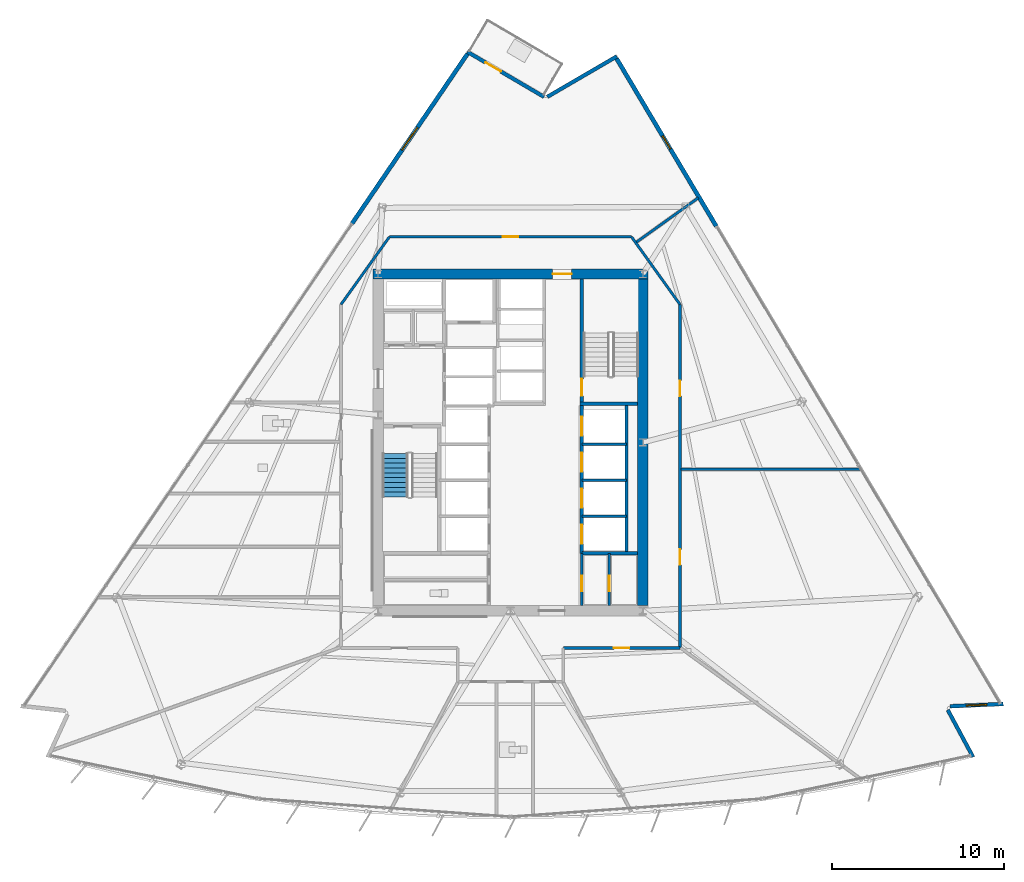
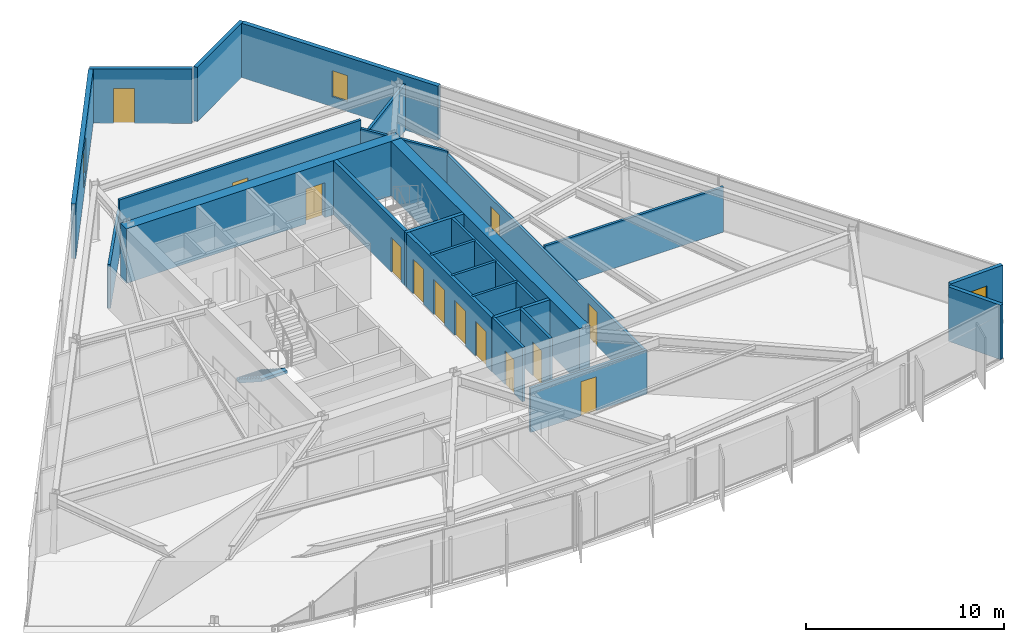
# One storey, part 9 of 15: 25 walls, 13 doors, 3 windows, 1 stair flight, 16 openings, 1 element without a shape of its own.
"""IFC4 building model written with IfcOpenShell, lengths in metres."""

import ifcopenshell
import ifcopenshell.guid

model = None  # the IFC model being written
_history = None  # IfcOwnerHistory: only IFC2X3 demands one
_inside = {}  # id of a spatial element -> (the spatial element, [elements in it])
_under = {}  # id of a project, library or spatial element -> (it, [spatial elements below it])
_declared = {}  # id of a project -> (the project, [libraries it declares])
_typed = {}  # id of a type object -> (the type object, [elements of that type])
_made_of = {}  # id of a material, layer set ... -> (it, [elements and type objects made of it])


def new_model(schema):
    """Start an empty IFC model of exactly this schema.

    Asked for "IFC4X3", IfcOpenShell would pick the latest addendum, in which some entities
    have other attributes; the version numbers below select the first issue.
    IFC2X3 requires an IfcOwnerHistory on every rooted entity: one is made here for all.
    """
    global model, _history
    if schema == "IFC4X3":
        model = ifcopenshell.file(schema_version=(4, 3, 0, 0))
    else:
        model = ifcopenshell.file(schema=schema)
    _inside.clear()
    _under.clear()
    _declared.clear()
    _typed.clear()
    _made_of.clear()
    _history = None
    if model.schema == "IFC2X3":
        org = make("IfcOrganization", Name="unknown")
        user = make(
            "IfcPersonAndOrganization",
            ThePerson=make("IfcPerson", FamilyName="unknown"),
            TheOrganization=org,
        )
        app = make(
            "IfcApplication",
            ApplicationDeveloper=org,
            Version="unknown",
            ApplicationFullName="unknown",
            ApplicationIdentifier="unknown",
        )
        _history = make(
            "IfcOwnerHistory",
            OwningUser=user,
            OwningApplication=app,
            ChangeAction="ADDED",
            CreationDate=0,
        )
    return model


def make(cls, **values):
    """One entity of the class cls with the attributes given. An attribute that is None is left unset."""
    return model.create_entity(
        cls, **{name: value for name, value in values.items() if value is not None}
    )


def rooted(cls, **values):
    """An entity with a GlobalId (a new one), such as an element, a storey or a relation."""
    return make(cls, GlobalId=ifcopenshell.guid.new(), OwnerHistory=_history, **values)


def si_unit(unit_type, name, prefix=None):
    """IfcSIUnit, for example si_unit("LENGTHUNIT", "METRE", prefix="MILLI")."""
    return make("IfcSIUnit", UnitType=unit_type, Prefix=prefix, Name=name)


def assignment(units):
    """IfcUnitAssignment: the units of a project."""
    return None if units is None else make("IfcUnitAssignment", Units=units)


def point(xyz):
    """IfcCartesianPoint."""
    return None if xyz is None else make("IfcCartesianPoint", Coordinates=xyz)


def direction(xyz):
    """IfcDirection."""
    return None if xyz is None else make("IfcDirection", DirectionRatios=xyz)


def frame(location, z_axis=None, x_axis=None):
    """IfcAxis2Placement3D, a coordinate frame: its origin and axes. An axis left out is left unset."""
    return make(
        "IfcAxis2Placement3D",
        Location=point(location),
        Axis=direction(z_axis),
        RefDirection=direction(x_axis),
    )


def frame_2d(location, x_axis=None):
    """IfcAxis2Placement2D, a coordinate frame in the plane: its origin and x axis."""
    return make(
        "IfcAxis2Placement2D", Location=point(location), RefDirection=direction(x_axis)
    )


def origin():
    """The frame at (0, 0, 0) with its axes left unset."""
    return frame((0.0, 0.0, 0.0))


def place(relative_to, where):
    """IfcLocalPlacement: puts the frame where relative to a parent placement (None: the world)."""
    return make(
        "IfcLocalPlacement", PlacementRelTo=relative_to, RelativePlacement=where
    )


def context(
    kind, dimensions, precision=None, world=None, true_north=None, identifier=None
):
    """IfcGeometricRepresentationContext, for example the 3D "Model" context."""
    return make(
        "IfcGeometricRepresentationContext",
        ContextIdentifier=identifier,
        ContextType=kind,
        CoordinateSpaceDimension=dimensions,
        Precision=precision,
        WorldCoordinateSystem=world,
        TrueNorth=true_north,
    )


def subcontext(parent, identifier, kind, view, scale=None):
    """IfcGeometricRepresentationSubContext, for example "Body" below "Model"."""
    return make(
        "IfcGeometricRepresentationSubContext",
        ContextIdentifier=identifier,
        ContextType=kind,
        ParentContext=parent,
        TargetScale=scale,
        TargetView=view,
    )


def project(units=None, contexts=None):
    """IfcProject with its units and contexts."""
    return rooted(
        "IfcProject",
        Name="project",
        RepresentationContexts=contexts,
        UnitsInContext=assignment(units),
    )


def spatial(cls, under=None, at=None, **own):
    """A site, building, storey or space (cls), placed at a placement, below another one or the project."""
    s = rooted(cls, ObjectPlacement=at, **own)
    if under is not None:
        _under.setdefault(under.id(), (under, []))[1].append(s)
    return s


def polyline(points):
    """IfcPolyline through the points."""
    return make("IfcPolyline", Points=[point(p) for p in points])


def profile(cls, at=None, kind="AREA", **sizes):
    """A parametric profile (cls). Its sizes go by their IFC names, for example OverallWidth=200.0."""
    return make(cls, ProfileType=kind, Position=at, **sizes)


def rectangle(**sizes):
    """IfcRectangleProfileDef."""
    return profile("IfcRectangleProfileDef", **sizes)


def outline(outer, holes=None, kind="AREA"):
    """IfcArbitraryClosedProfileDef: a profile drawn as a closed curve; with holes, ...WithVoids."""
    if holes is None:
        return make("IfcArbitraryClosedProfileDef", ProfileType=kind, OuterCurve=outer)
    return make(
        "IfcArbitraryProfileDefWithVoids",
        ProfileType=kind,
        OuterCurve=outer,
        InnerCurves=holes,
    )


def extrude(swept, where, along, depth):
    """IfcExtrudedAreaSolid: the profile swept, set in the frame where, extruded along a direction by depth."""
    return make(
        "IfcExtrudedAreaSolid",
        SweptArea=swept,
        Position=where,
        ExtrudedDirection=direction(along),
        Depth=depth,
    )


def shape(context_of_items, identifier, shape_type, items):
    """IfcShapeRepresentation: the items that make up one representation, for example the "Body"."""
    return make(
        "IfcShapeRepresentation",
        ContextOfItems=context_of_items,
        RepresentationIdentifier=identifier,
        RepresentationType=shape_type,
        Items=items,
    )


def material(Name=None, Category=None):
    """IfcMaterial."""
    return make("IfcMaterial", Name=Name, Category=Category)


def layer(
    of_material, thickness, ventilated=None, Name=None, Category=None, Priority=None
):
    """IfcMaterialLayer: one layer of a wall or slab, of a material (None: an air gap)."""
    return make(
        "IfcMaterialLayer",
        Material=of_material,
        LayerThickness=thickness,
        IsVentilated=ventilated,
        Name=Name,
        Category=Category,
        Priority=Priority,
    )


def layer_set(layers, Name=None):
    """IfcMaterialLayerSet."""
    return make("IfcMaterialLayerSet", MaterialLayers=layers, LayerSetName=Name)


def made_of(thing, what):
    """Note that an element or type object is made of a material, layer set ...; save() writes the relation."""
    if what is not None:
        _made_of.setdefault(what.id(), (what, []))[1].append(thing)
    return thing


def type_object(cls, material=None, **own):
    """A type object (cls), such as IfcWallType, which elements share."""
    return made_of(rooted(cls, **own), material)


def element(
    cls,
    number,
    at=None,
    inside=None,
    cuts=None,
    type_object=None,
    material=None,
    context=None,
    identifier="Body",
    shape_type=None,
    held_by="IfcProductDefinitionShape",
    body=None,
    shapes=None,
    **own,
):
    """One element of the class cls, such as IfcWall. Its Tag is "e" and its number.

    at: its placement. inside: the storey or other place that contains it. cuts: it is an
    opening in that element (IfcRelVoidsElement). A single representation is given by context,
    identifier, shape_type and body (its items); several are given by shapes. held_by: the class
    of the entity that holds the representations. save() writes the other relations.
    """
    e = rooted(cls, Tag="e%d" % number, ObjectPlacement=at, **own)
    if body is not None:
        shapes = [shape(context, identifier, shape_type, body)]
    if shapes is not None:
        e.Representation = make(held_by, Representations=shapes)
    if inside is not None:
        _inside.setdefault(inside.id(), (inside, []))[1].append(e)
    if cuts is not None:
        rooted(
            "IfcRelVoidsElement", RelatingBuildingElement=cuts, RelatedOpeningElement=e
        )
    if type_object is not None:
        _typed.setdefault(type_object.id(), (type_object, []))[1].append(e)
    return made_of(e, material)


def fill(opening, filler):
    """IfcRelFillsElement: the door or window that sits in an opening."""
    return rooted(
        "IfcRelFillsElement",
        RelatingOpeningElement=opening,
        RelatedBuildingElement=filler,
    )


def aggregate(whole, parts):
    """IfcRelAggregates: a whole, such as a stair, and the parts it consists of."""
    return rooted("IfcRelAggregates", RelatingObject=whole, RelatedObjects=parts)


def save(model, path):
    """Write the relations noted so far, then the file.

    IfcRelAggregates (storeys below a building ...), IfcRelContainedInSpatialStructure (elements
    in a storey), IfcRelDefinesByType, IfcRelAssociatesMaterial and IfcRelDeclares: one each for
    every whole, place, type object, material and project.
    """
    for whole, parts in _under.values():
        aggregate(whole, parts)
    for where, things in _inside.values():
        rooted(
            "IfcRelContainedInSpatialStructure",
            RelatedElements=things,
            RelatingStructure=where,
        )
    for kind, things in _typed.values():
        rooted("IfcRelDefinesByType", RelatedObjects=things, RelatingType=kind)
    for what, things in _made_of.values():
        rooted("IfcRelAssociatesMaterial", RelatedObjects=things, RelatingMaterial=what)
    for by, libraries in _declared.values():
        rooted("IfcRelDeclares", RelatingContext=by, RelatedDefinitions=libraries)
    model.write(path)


model = new_model("IFC4")

# Units and contexts
model_context = context("Model", 3, precision=1e-05, world=origin(), true_north=direction((0.0, 1.0)))
body_context = subcontext(model_context, "Body", "Model", "MODEL_VIEW")
ifc_project = project(units=[si_unit("LENGTHUNIT", "METRE"), si_unit("AREAUNIT", "SQUARE_METRE"), si_unit("VOLUMEUNIT", "CUBIC_METRE"), si_unit("PLANEANGLEUNIT", "RADIAN"), si_unit("MASSUNIT", "GRAM", prefix="KILO")], contexts=[model_context])

# Site, building, storey
site_placement = place(None, origin())
site = spatial("IfcSite", under=ifc_project, at=site_placement, CompositionType="ELEMENT")
building_placement = place(site_placement, origin())
building = spatial("IfcBuilding", under=site, at=building_placement, Name="Savorim Split Tower", CompositionType="ELEMENT")
storey_placement = place(building_placement, frame((0.0, 0.0, 86.10009765625)))
storey = spatial("IfcBuildingStorey", under=building, at=storey_placement, Name="L22", CompositionType="ELEMENT", Elevation=86.10009765625)

# Wall, opening, door
ifc_material_1 = material(Name="Concrete C60/75", Category="concrete")
ifc_layer_1 = layer(ifc_material_1, 0.60009765625)
ifc_layer_set_1 = layer_set([ifc_layer_1], Name="WAL-COR-SH600")
wall_type_1 = type_object("IfcWallType", Name="WAL-COR-SH600", PredefinedType="SHEAR", material=ifc_layer_set_1)
wall_1_placement = place(storey_placement, frame((8.0, 10.199951171875, 0.0), z_axis=(0.0, 0.0, 1.0), x_axis=(-1.0, 0.0, 0.0)))
wall_1 = element("IfcWall", 1, at=wall_1_placement, inside=storey, type_object=wall_type_1, Name="L22 Offset Core North Shear Wall", PredefinedType="SHEAR", context=body_context, shape_type="SweptSolid", body=[
    extrude(rectangle(XDim=16.0, YDim=0.60009765625, at=frame_2d((8.0, 0.0))), origin(), (0.0, 0.0, 1.0), 3.349853515625),
])
opening_1_placement = place(wall_1_placement, frame((4.449951171875, 0.0, 0.0)))
opening_1 = element("IfcOpeningElement", 2, at=opening_1_placement, cuts=wall_1, Name="Opening DI-03", PredefinedType="OPENING", context=body_context, shape_type="SweptSolid", body=[
    extrude(rectangle(XDim=1.10009765625, YDim=2.14990234375, at=frame_2d((0.550048828125, 1.074951171875))), frame((0.0, 0.31005859375, 0.0), z_axis=(0.0, -1.0, 0.0), x_axis=(1.0, 0.0, 0.0)), (0.0, 0.0, 1.0), 0.6201171875),
])
ifc_material_2 = material(Name="Timber Fire Door Leaf", Category="wood")
door_type_1 = type_object("IfcDoorType", Name="DOR-FIR-1100", OperationType="NOTDEFINED", PredefinedType="DOOR", material=ifc_material_2)
door_1_placement = place(opening_1_placement, origin())
door_1 = element("IfcDoor", 3, at=door_1_placement, inside=storey, type_object=door_type_1, Name="DOR-L22-COR-NLOB - L22 North Corridor Lobby Fire Door", OperationType="SINGLE_SWING_LEFT", OverallHeight=2.14990234375, OverallWidth=1.10009765625, PredefinedType="DOOR", context=body_context, shape_type="SweptSolid", body=[
    extrude(rectangle(XDim=1.10009765625, YDim=2.14990234375, at=frame_2d((0.550048828125, 1.074951171875))), frame((0.0, 0.02490234375, 0.0), z_axis=(0.0, -1.0, 0.0), x_axis=(1.0, 0.0, 0.0)), (0.0, 0.0, 1.0), 0.050048828125),
])
fill(opening_1, door_1)

# Walls
wall_2_placement = place(storey_placement, frame((7.699951171875, 9.89990234375, 0.0), z_axis=(0.0, 0.0, 1.0), x_axis=(0.0, -1.0, 0.0)))
element("IfcWall", 4, at=wall_2_placement, inside=storey, type_object=wall_type_1, Name="L22 Offset Core East Shear Wall", PredefinedType="SHEAR", context=body_context, shape_type="SweptSolid", body=[
    extrude(rectangle(XDim=19.0, YDim=0.60009765625, at=frame_2d((9.5, 0.0))), origin(), (0.0, 0.0, 1.0), 3.349853515625),
])
ifc_material_3 = material(Name="Precast concrete C40/50", Category="concrete")
ifc_layer_2 = layer(ifc_material_3, 0.219970703125)
ifc_layer_set_2 = layer_set([ifc_layer_2], Name="WAL-EXT-CRN220")
wall_type_2 = type_object("IfcWallType", Name="WAL-EXT-CRN220", PredefinedType="SOLIDWALL", material=ifc_layer_set_2)
wall_3_placement = place(storey_placement, frame((25.44189453125, -15.164794921875, 0.0), z_axis=(0.0, 0.0, 1.0), x_axis=(0.472811757317, -0.881163459378, 0.0)))
element("IfcWall", 5, at=wall_3_placement, inside=storey, type_object=wall_type_2, Name="L22 Notched Corner Facade Wall SE1", PredefinedType="SOLIDWALL", context=body_context, shape_type="SweptSolid", body=[
    extrude(rectangle(XDim=3.109619140625, YDim=0.219970703125, at=frame_2d((1.5546875, 0.0))), origin(), (0.0, 0.0, 1.0), 3.349853515625),
])

# Wall, opening, window
wall_4_placement = place(storey_placement, frame((28.667236328125, -14.819091796875, 0.0), z_axis=(0.0, 0.0, 1.0), x_axis=(-0.99909228571, -0.042598176436, 0.0)))
wall_4 = element("IfcWall", 6, at=wall_4_placement, inside=storey, type_object=wall_type_2, Name="L22 Notched Corner Facade Wall SE", PredefinedType="SOLIDWALL", context=body_context, shape_type="SweptSolid", body=[
    extrude(rectangle(XDim=3.1064453125, YDim=0.219970703125, at=frame_2d((1.55322265625, 0.0))), origin(), (0.0, 0.0, 1.0), 3.349853515625),
])
opening_2_placement = place(wall_4_placement, frame((0.953125, 0.0, 0.6201171875)))
opening_2 = element("IfcOpeningElement", 7, at=opening_2_placement, cuts=wall_4, Name="Opening WN-08", PredefinedType="OPENING", context=body_context, shape_type="SweptSolid", body=[
    extrude(rectangle(XDim=1.199951171875, YDim=1.800048828125, at=frame_2d((0.60009765625, 0.89990234375))), frame((0.0, 0.119873046875, 0.0), z_axis=(0.0, -1.0, 0.0), x_axis=(1.0, 0.0, 0.0)), (0.0, 0.0, 1.0), 0.239990234375),
])
ifc_material_4 = material(Name="Low-E Operable Double Glazing", Category="glass")
window_type_1 = type_object("IfcWindowType", Name="WIN-TWR-1200x1800", PartitioningType="SINGLE_PANEL", PredefinedType="WINDOW", material=ifc_material_4)
window_1_placement = place(opening_2_placement, origin())
window_1 = element("IfcWindow", 8, at=window_1_placement, inside=storey, type_object=window_type_1, Name="L22 Operable Corner Window SE", OverallHeight=1.800048828125, OverallWidth=1.199951171875, PartitioningType="SINGLE_PANEL", PredefinedType="WINDOW", context=body_context, shape_type="SweptSolid", body=[
    extrude(rectangle(XDim=1.199951171875, YDim=1.800048828125, at=frame_2d((0.60009765625, 0.89990234375))), frame((0.0, 0.030029296875, 0.0), z_axis=(0.0, -1.0, 0.0), x_axis=(1.0, 0.0, 0.0)), (0.0, 0.0, 1.0), 0.06005859375),
])
fill(opening_2, window_1)

# Wall
wall_5_placement = place(storey_placement, frame((2.141845703125, 20.502197265625, 0.0), z_axis=(0.0, 0.0, 1.0), x_axis=(0.863981097269, 0.503524243272, 0.0)))
element("IfcWall", 9, at=wall_5_placement, inside=storey, type_object=wall_type_2, Name="L22 Notched Corner Facade Wall NE1", PredefinedType="SOLIDWALL", context=body_context, shape_type="SweptSolid", body=[
    extrude(rectangle(XDim=4.684326171875, YDim=0.219970703125, at=frame_2d((2.34228515625, 0.0))), origin(), (0.0, 0.0, 1.0), 3.349853515625),
])

# Wall, opening, door
wall_6_placement = place(storey_placement, frame((-2.509521484375, 23.12451171875, 0.0), z_axis=(0.0, 0.0, 1.0), x_axis=(0.862103972413, -0.506731428618, 0.0)))
wall_6 = element("IfcWall", 10, at=wall_6_placement, inside=storey, type_object=wall_type_2, Name="L22 Notched Corner Facade Wall N", PredefinedType="SOLIDWALL", context=body_context, shape_type="SweptSolid", body=[
    extrude(rectangle(XDim=5.174560546875, YDim=0.219970703125, at=frame_2d((2.58740234375, 0.0))), origin(), (0.0, 0.0, 1.0), 3.349853515625),
])
opening_3_placement = place(wall_6_placement, frame((1.21240234375, 0.0, 0.0)))
opening_3 = element("IfcOpeningElement", 11, at=opening_3_placement, cuts=wall_6, Name="Opening DB-01", PredefinedType="OPENING", context=body_context, shape_type="SweptSolid", body=[
    extrude(rectangle(XDim=1.050048828125, YDim=2.14990234375, at=frame_2d((0.52490234375, 1.074951171875))), frame((0.0, 0.119873046875, 0.0), z_axis=(0.0, -1.0, 0.0), x_axis=(1.0, 0.0, 0.0)), (0.0, 0.0, 1.0), 0.239990234375),
])
ifc_material_5 = material(Name="Charcoal Anodised Aluminium", Category="aluminium")
door_type_2 = type_object("IfcDoorType", Name="DOR-BAL-1050", OperationType="NOTDEFINED", PredefinedType="DOOR", material=ifc_material_5)
door_2_placement = place(opening_3_placement, origin())
door_2 = element("IfcDoor", 12, at=door_2_placement, inside=storey, type_object=door_type_2, Name="DOR-L22-TBAL-N - L22 Planted Tree Balcony Door N", OperationType="SINGLE_SWING_LEFT", OverallHeight=2.14990234375, OverallWidth=1.050048828125, PredefinedType="DOOR", context=body_context, shape_type="SweptSolid", body=[
    extrude(rectangle(XDim=1.050048828125, YDim=2.14990234375, at=frame_2d((0.52490234375, 1.074951171875))), frame((0.0, 0.02490234375, 0.0), z_axis=(0.0, -1.0, 0.0), x_axis=(1.0, 0.0, 0.0)), (0.0, 0.0, 1.0), 0.050048828125),
])
fill(opening_3, door_2)

# Wall, opening, window
ifc_layer_3 = layer(ifc_material_3, 0.25)
ifc_layer_set_3 = layer_set([ifc_layer_3], Name="WAL-EXT-SPN250")
wall_type_3 = type_object("IfcWallType", Name="WAL-EXT-SPN250", PredefinedType="SOLIDWALL", material=ifc_layer_set_3)
wall_7_placement = place(storey_placement, frame((6.17236328125, 22.734130859375, 0.0), z_axis=(0.0, 0.0, 1.0), x_axis=(0.511105869751, -0.859517765905, 0.0)))
wall_7 = element("IfcWall", 13, at=wall_7_placement, inside=storey, type_object=wall_type_3, Name="L22 East Operable Window Pier", PredefinedType="SOLIDWALL", context=body_context, shape_type="SweptSolid", body=[
    extrude(rectangle(XDim=11.356689453125, YDim=0.25, at=frame_2d((5.67822265625, 0.0))), origin(), (0.0, 0.0, 1.0), 3.349853515625),
])
opening_4_placement = place(wall_7_placement, frame((5.228515625, 0.0, 0.6201171875)))
opening_4 = element("IfcOpeningElement", 14, at=opening_4_placement, cuts=wall_7, Name="Opening WN-10", PredefinedType="OPENING", context=body_context, shape_type="SweptSolid", body=[
    extrude(rectangle(XDim=0.89990234375, YDim=1.60009765625, at=frame_2d((0.449951171875, 0.800048828125))), frame((0.0, 0.135009765625, 0.0), z_axis=(0.0, -1.0, 0.0), x_axis=(1.0, 0.0, 0.0)), (0.0, 0.0, 1.0), 0.27001953125),
])
window_type_2 = type_object("IfcWindowType", Name="WIN-TWR-900x1600", PartitioningType="SINGLE_PANEL", PredefinedType="WINDOW", material=ifc_material_4)
window_2_placement = place(opening_4_placement, origin())
window_2 = element("IfcWindow", 15, at=window_2_placement, inside=storey, type_object=window_type_2, Name="L22 East Operable Ventilation Window", OverallHeight=1.60009765625, OverallWidth=0.89990234375, PartitioningType="SINGLE_PANEL", PredefinedType="WINDOW", context=body_context, shape_type="SweptSolid", body=[
    extrude(rectangle(XDim=0.89990234375, YDim=1.60009765625, at=frame_2d((0.449951171875, 0.800048828125))), frame((0.0, 0.030029296875, 0.0), z_axis=(0.0, -1.0, 0.0), x_axis=(1.0, 0.0, 0.0)), (0.0, 0.0, 1.0), 0.06005859375),
])
fill(opening_4, window_2)

wall_8_placement = place(storey_placement, frame((-9.21728515625, 13.135986328125, 0.0), z_axis=(0.0, 0.0, 1.0), x_axis=(0.562468998305, 0.826818375428, 0.0)))
wall_8 = element("IfcWall", 16, at=wall_8_placement, inside=storey, type_object=wall_type_3, Name="L22 West Operable Window Pier", PredefinedType="SOLIDWALL", context=body_context, shape_type="SweptSolid", body=[
    extrude(rectangle(XDim=11.9287109375, YDim=0.25, at=frame_2d((5.96435546875, 0.0))), origin(), (0.0, 0.0, 1.0), 3.349853515625),
])
opening_5_placement = place(wall_8_placement, frame((5.164306640625, 0.0, 0.6201171875)))
opening_5 = element("IfcOpeningElement", 17, at=opening_5_placement, cuts=wall_8, Name="Opening WN-05", PredefinedType="OPENING", context=body_context, shape_type="SweptSolid", body=[
    extrude(rectangle(XDim=1.60009765625, YDim=2.10009765625, at=frame_2d((0.800048828125, 1.050048828125))), frame((0.0, 0.135009765625, 0.0), z_axis=(0.0, -1.0, 0.0), x_axis=(1.0, 0.0, 0.0)), (0.0, 0.0, 1.0), 0.27001953125),
])
window_type_3 = type_object("IfcWindowType", Name="WIN-TWR-1600x2100", PartitioningType="DOUBLE_PANEL_VERTICAL", PredefinedType="WINDOW", material=ifc_material_4)
window_3_placement = place(opening_5_placement, origin())
window_3 = element("IfcWindow", 18, at=window_3_placement, inside=storey, type_object=window_type_3, Name="L22 West Operable Ventilation Window", OverallHeight=2.10009765625, OverallWidth=1.60009765625, PartitioningType="SINGLE_PANEL", PredefinedType="WINDOW", context=body_context, shape_type="SweptSolid", body=[
    extrude(rectangle(XDim=1.60009765625, YDim=2.10009765625, at=frame_2d((0.800048828125, 1.050048828125))), frame((0.0, 0.030029296875, 0.0), z_axis=(0.0, -1.0, 0.0), x_axis=(1.0, 0.0, 0.0)), (0.0, 0.0, 1.0), 0.06005859375),
])
fill(opening_5, window_3)

# Wall, opening, door
ifc_material_6 = material(Name="Concrete C50/60", Category="concrete")
ifc_layer_4 = layer(ifc_material_6, 0.199951171875)
ifc_layer_set_4 = layer_set([ifc_layer_4], Name="WAL-INT-RC200")
wall_type_4 = type_object("IfcWallType", Name="WAL-INT-RC200", PredefinedType="SOLIDWALL", material=ifc_layer_set_4)
wall_9_placement = place(storey_placement, frame((4.14990234375, 2.75, 0.0), z_axis=(0.0, 0.0, 1.0), x_axis=(0.0, 1.0, 0.0)))
wall_9 = element("IfcWall", 19, at=wall_9_placement, inside=storey, type_object=wall_type_4, Name="L22 Structural Shaft Wall W-L22-CR07", PredefinedType="SOLIDWALL", context=body_context, shape_type="SweptSolid", body=[
    extrude(rectangle(XDim=7.14990234375, YDim=0.199951171875, at=frame_2d((3.574951171875, 0.0))), origin(), (0.0, 0.0, 1.0), 3.349853515625),
])
opening_6_placement = place(wall_9_placement, frame((0.35009765625, 0.0, 0.0)))
opening_6 = element("IfcOpeningElement", 20, at=opening_6_placement, cuts=wall_9, Name="Opening DI-04", PredefinedType="OPENING", context=body_context, shape_type="SweptSolid", body=[
    extrude(rectangle(XDim=1.0, YDim=2.14990234375, at=frame_2d((0.5, 1.074951171875))), frame((0.0, 0.10986328125, 0.0), z_axis=(0.0, -1.0, 0.0), x_axis=(1.0, 0.0, 0.0)), (0.0, 0.0, 1.0), 0.219970703125),
])
door_type_3 = type_object("IfcDoorType", Name="DOR-FIR-1000", OperationType="NOTDEFINED", PredefinedType="DOOR", material=ifc_material_2)
door_3_placement = place(opening_6_placement, origin())
door_3 = element("IfcDoor", 21, at=door_3_placement, inside=storey, type_object=door_type_3, Name="DR-L22-ST2 - L22 Stair ST-2 Enclosure Door", OperationType="SINGLE_SWING_RIGHT", OverallHeight=2.14990234375, OverallWidth=1.0, PredefinedType="DOOR", context=body_context, shape_type="SweptSolid", body=[
    extrude(rectangle(XDim=1.0, YDim=2.14990234375, at=frame_2d((0.5, 1.074951171875))), frame((0.0, 0.02490234375, 0.0), z_axis=(0.0, -1.0, 0.0), x_axis=(1.0, 0.0, 0.0)), (0.0, 0.0, 1.0), 0.050048828125),
])
fill(opening_6, door_3)

# Wall
wall_10_placement = place(storey_placement, frame((4.050048828125, 2.64990234375, 0.0), z_axis=(0.0, 0.0, 1.0), x_axis=(1.0, 0.0, 0.0)))
element("IfcWall", 22, at=wall_10_placement, inside=storey, type_object=wall_type_4, Name="L22 Structural Shaft Wall W-L22-CR08", PredefinedType="SOLIDWALL", context=body_context, shape_type="SweptSolid", body=[
    extrude(rectangle(XDim=3.349853515625, YDim=0.199951171875, at=frame_2d((1.6748046875, 0.0))), origin(), (0.0, 0.0, 1.0), 3.349853515625),
])

# Wall, openings, doors
wall_11_placement = place(storey_placement, frame((4.14990234375, -6.050048828125, 0.0), z_axis=(0.0, 0.0, 1.0), x_axis=(0.0, 1.0, 0.0)))
wall_11 = element("IfcWall", 23, at=wall_11_placement, inside=storey, type_object=wall_type_4, Name="L22 Partition W-L22-B1FRONT", PredefinedType="SOLIDWALL", context=body_context, shape_type="SweptSolid", body=[
    extrude(rectangle(XDim=8.699951171875, YDim=0.199951171875, at=frame_2d((4.35009765625, 0.0))), origin(), (0.0, 0.0, 1.0), 3.349853515625),
])
opening_7_placement = place(wall_11_placement, frame((0.550048828125, 0.0, 0.0)))
opening_7 = element("IfcOpeningElement", 24, at=opening_7_placement, cuts=wall_11, Name="Opening LD-01", PredefinedType="OPENING", context=body_context, shape_type="SweptSolid", body=[
    extrude(rectangle(XDim=1.10009765625, YDim=2.14990234375, at=frame_2d((0.550048828125, 1.074951171875))), frame((0.0, 0.10986328125, 0.0), z_axis=(0.0, -1.0, 0.0), x_axis=(1.0, 0.0, 0.0)), (0.0, 0.0, 1.0), 0.219970703125),
])
opening_8_placement = place(wall_11_placement, frame((2.64990234375, 0.0, 0.0)))
opening_8 = element("IfcOpeningElement", 25, at=opening_8_placement, cuts=wall_11, Name="Opening LD-01", PredefinedType="OPENING", context=body_context, shape_type="SweptSolid", body=[
    extrude(rectangle(XDim=1.10009765625, YDim=2.14990234375, at=frame_2d((0.550048828125, 1.074951171875))), frame((0.0, 0.10986328125, 0.0), z_axis=(0.0, -1.0, 0.0), x_axis=(1.0, 0.0, 0.0)), (0.0, 0.0, 1.0), 0.219970703125),
])
opening_9_placement = place(wall_11_placement, frame((4.75, 0.0, 0.0)))
opening_9 = element("IfcOpeningElement", 26, at=opening_9_placement, cuts=wall_11, Name="Opening LD-01", PredefinedType="OPENING", context=body_context, shape_type="SweptSolid", body=[
    extrude(rectangle(XDim=1.10009765625, YDim=2.14990234375, at=frame_2d((0.550048828125, 1.074951171875))), frame((0.0, 0.10986328125, 0.0), z_axis=(0.0, -1.0, 0.0), x_axis=(1.0, 0.0, 0.0)), (0.0, 0.0, 1.0), 0.219970703125),
])
opening_10_placement = place(wall_11_placement, frame((6.85009765625, 0.0, 0.0)))
opening_10 = element("IfcOpeningElement", 27, at=opening_10_placement, cuts=wall_11, Name="Opening LD-01", PredefinedType="OPENING", context=body_context, shape_type="SweptSolid", body=[
    extrude(rectangle(XDim=1.10009765625, YDim=2.14990234375, at=frame_2d((0.550048828125, 1.074951171875))), frame((0.0, 0.10986328125, 0.0), z_axis=(0.0, -1.0, 0.0), x_axis=(1.0, 0.0, 0.0)), (0.0, 0.0, 1.0), 0.219970703125),
])
door_type_4 = type_object("IfcDoorType", Name="DOR-SLD-LD1100", OperationType="NOTDEFINED", PredefinedType="DOOR", material=ifc_material_5)
door_4_placement = place(opening_7_placement, origin())
door_4 = element("IfcDoor", 28, at=door_4_placement, inside=storey, type_object=door_type_4, Name="DR-L22-LD-PLL1 - L22 Lift PL-L1 Sliding Landing Door", OperationType="DOUBLE_DOOR_SLIDING", OverallHeight=2.14990234375, OverallWidth=1.10009765625, PredefinedType="DOOR", context=body_context, shape_type="SweptSolid", body=[
    extrude(rectangle(XDim=1.10009765625, YDim=2.14990234375, at=frame_2d((0.550048828125, 1.074951171875))), frame((0.0, 0.02490234375, 0.0), z_axis=(0.0, -1.0, 0.0), x_axis=(1.0, 0.0, 0.0)), (0.0, 0.0, 1.0), 0.050048828125),
])
fill(opening_7, door_4)
door_5_placement = place(opening_8_placement, origin())
door_5 = element("IfcDoor", 29, at=door_5_placement, inside=storey, type_object=door_type_4, Name="DR-L22-LD-PLL2 - L22 Lift PL-L2 Sliding Landing Door", OperationType="DOUBLE_DOOR_SLIDING", OverallHeight=2.14990234375, OverallWidth=1.10009765625, PredefinedType="DOOR", context=body_context, shape_type="SweptSolid", body=[
    extrude(rectangle(XDim=1.10009765625, YDim=2.14990234375, at=frame_2d((0.550048828125, 1.074951171875))), frame((0.0, 0.02490234375, 0.0), z_axis=(0.0, -1.0, 0.0), x_axis=(1.0, 0.0, 0.0)), (0.0, 0.0, 1.0), 0.050048828125),
])
fill(opening_8, door_5)
door_6_placement = place(opening_9_placement, origin())
door_6 = element("IfcDoor", 30, at=door_6_placement, inside=storey, type_object=door_type_4, Name="DR-L22-LD-PLL3 - L22 Lift PL-L3 Sliding Landing Door", OperationType="DOUBLE_DOOR_SLIDING", OverallHeight=2.14990234375, OverallWidth=1.10009765625, PredefinedType="DOOR", context=body_context, shape_type="SweptSolid", body=[
    extrude(rectangle(XDim=1.10009765625, YDim=2.14990234375, at=frame_2d((0.550048828125, 1.074951171875))), frame((0.0, 0.02490234375, 0.0), z_axis=(0.0, -1.0, 0.0), x_axis=(1.0, 0.0, 0.0)), (0.0, 0.0, 1.0), 0.050048828125),
])
fill(opening_9, door_6)
door_7_placement = place(opening_10_placement, origin())
door_7 = element("IfcDoor", 31, at=door_7_placement, inside=storey, type_object=door_type_4, Name="DR-L22-LD-PLL4 - L22 Lift PL-L4 Sliding Landing Door", OperationType="DOUBLE_DOOR_SLIDING", OverallHeight=2.14990234375, OverallWidth=1.10009765625, PredefinedType="DOOR", context=body_context, shape_type="SweptSolid", body=[
    extrude(rectangle(XDim=1.10009765625, YDim=2.14990234375, at=frame_2d((0.550048828125, 1.074951171875))), frame((0.0, 0.02490234375, 0.0), z_axis=(0.0, -1.0, 0.0), x_axis=(1.0, 0.0, 0.0)), (0.0, 0.0, 1.0), 0.050048828125),
])
fill(opening_10, door_7)

# Walls
wall_12_placement = place(storey_placement, frame((4.14990234375, -6.050048828125, 0.0), z_axis=(0.0, 0.0, 1.0), x_axis=(1.0, 0.0, 0.0)))
element("IfcWall", 32, at=wall_12_placement, inside=storey, type_object=wall_type_4, Name="L22 Partition W-L22-KSEP-E", PredefinedType="SOLIDWALL", context=body_context, shape_type="SweptSolid", body=[
    extrude(rectangle(XDim=3.2451171875, YDim=0.199951171875, at=frame_2d((1.62255859375, 0.0))), origin(), (0.0, 0.0, 1.0), 3.349853515625),
])
ifc_material_7 = material(Name="Acoustic Gypsum Partition Board")
ifc_layer_5 = layer(ifc_material_7, 0.14990234375)
ifc_layer_set_5 = layer_set([ifc_layer_5], Name="WAL-PAR-150")
wall_type_5 = type_object("IfcWallType", Name="WAL-PAR-150", PredefinedType="PARTITIONING", material=ifc_layer_set_5)
wall_13_placement = place(storey_placement, frame((6.75, -6.050048828125, 0.0), z_axis=(0.0, 0.0, 1.0), x_axis=(0.0, 1.0, 0.0)))
element("IfcWall", 33, at=wall_13_placement, inside=storey, type_object=wall_type_5, Name="L22 Partition W-L22-B1BACK", PredefinedType="PARTITIONING", context=body_context, shape_type="SweptSolid", body=[
    extrude(rectangle(XDim=8.699951171875, YDim=0.14990234375, at=frame_2d((4.35009765625, 0.0))), origin(), (0.0, 0.0, 1.0), 3.349853515625),
])
for number, where, z_axis, x_axis, name in (
    (34, (4.14990234375, -3.89990234375, 0.0), (0.0, 0.0, 1.0), (1.0, 0.0, 0.0), "L22 Partition W-L22-B1DIV1"),
    (35, (4.14990234375, -1.800048828125, 0.0), (0.0, 0.0, 1.0), (1.0, 0.0, 0.0), "L22 Partition W-L22-B1DIV2"),
    (36, (4.14990234375, 0.300048828125, 0.0), (0.0, 0.0, 1.0), (1.0, 0.0, 0.0), "L22 Partition W-L22-B1DIV3"),
):
    element("IfcWall", number, at=place(storey_placement, frame(where, z_axis=z_axis, x_axis=x_axis)), inside=storey, type_object=wall_type_5, Name=name, PredefinedType="PARTITIONING", context=body_context, shape_type="SweptSolid", body=[
        extrude(rectangle(XDim=2.60009765625, YDim=0.14990234375, at=frame_2d((1.300048828125, 0.0))), origin(), (0.0, 0.0, 1.0), 3.349853515625),
    ])

# Wall, opening, door
wall_14_placement = place(storey_placement, frame((4.14990234375, -9.094970703125, 0.0), z_axis=(0.0, 0.0, 1.0), x_axis=(0.0, 1.0, 0.0)))
wall_14 = element("IfcWall", 37, at=wall_14_placement, inside=storey, type_object=wall_type_5, Name="L22 Partition W-L22-KLOB-E", PredefinedType="PARTITIONING", context=body_context, shape_type="SweptSolid", body=[
    extrude(rectangle(XDim=3.044921875, YDim=0.14990234375, at=frame_2d((1.5224609375, 0.0))), origin(), (0.0, 0.0, 1.0), 3.349853515625),
])
opening_11_placement = place(wall_14_placement, frame((0.844970703125, 0.0, 0.0)))
opening_11 = element("IfcOpeningElement", 38, at=opening_11_placement, cuts=wall_14, Name="Opening DI-06", PredefinedType="OPENING", context=body_context, shape_type="SweptSolid", body=[
    extrude(rectangle(XDim=0.89990234375, YDim=2.10009765625, at=frame_2d((0.449951171875, 1.050048828125))), frame((0.0, 0.0849609375, 0.0), z_axis=(0.0, -1.0, 0.0), x_axis=(1.0, 0.0, 0.0)), (0.0, 0.0, 1.0), 0.169921875),
])
door_type_5 = type_object("IfcDoorType", Name="DOR-FIR-900", OperationType="NOTDEFINED", PredefinedType="DOOR", material=ifc_material_2)
door_8_placement = place(opening_11_placement, origin())
door_8 = element("IfcDoor", 39, at=door_8_placement, inside=storey, type_object=door_type_5, Name="DR-L22-K2PAN - L22 Vending Pantry Door", OperationType="SINGLE_SWING_LEFT", OverallHeight=2.10009765625, OverallWidth=0.89990234375, PredefinedType="DOOR", context=body_context, shape_type="SweptSolid", body=[
    extrude(rectangle(XDim=0.89990234375, YDim=2.10009765625, at=frame_2d((0.449951171875, 1.050048828125))), frame((0.0, 0.02490234375, 0.0), z_axis=(0.0, -1.0, 0.0), x_axis=(1.0, 0.0, 0.0)), (0.0, 0.0, 1.0), 0.050048828125),
])
fill(opening_11, door_8)

wall_15_placement = place(storey_placement, frame((5.75, -9.094970703125, 0.0), z_axis=(0.0, 0.0, 1.0), x_axis=(0.0, 1.0, 0.0)))
wall_15 = element("IfcWall", 40, at=wall_15_placement, inside=storey, type_object=wall_type_5, Name="L22 Partition W-L22-K2E", PredefinedType="PARTITIONING", context=body_context, shape_type="SweptSolid", body=[
    extrude(rectangle(XDim=3.044921875, YDim=0.14990234375, at=frame_2d((1.5224609375, 0.0))), origin(), (0.0, 0.0, 1.0), 3.349853515625),
])
opening_12_placement = place(wall_15_placement, frame((0.844970703125, 0.0, 0.0)))
opening_12 = element("IfcOpeningElement", 41, at=opening_12_placement, cuts=wall_15, Name="Opening DI-06", PredefinedType="OPENING", context=body_context, shape_type="SweptSolid", body=[
    extrude(rectangle(XDim=0.89990234375, YDim=2.10009765625, at=frame_2d((0.449951171875, 1.050048828125))), frame((0.0, 0.0849609375, 0.0), z_axis=(0.0, -1.0, 0.0), x_axis=(1.0, 0.0, 0.0)), (0.0, 0.0, 1.0), 0.169921875),
])
door_9_placement = place(opening_12_placement, origin())
door_9 = element("IfcDoor", 42, at=door_9_placement, inside=storey, type_object=door_type_5, Name="DR-L22-K2REF - L22 Recycling Room Door", OperationType="SINGLE_SWING_RIGHT", OverallHeight=2.10009765625, OverallWidth=0.89990234375, PredefinedType="DOOR", context=body_context, shape_type="SweptSolid", body=[
    extrude(rectangle(XDim=0.89990234375, YDim=2.10009765625, at=frame_2d((0.449951171875, 1.050048828125))), frame((0.0, 0.02490234375, 0.0), z_axis=(0.0, -1.0, 0.0), x_axis=(1.0, 0.0, 0.0)), (0.0, 0.0, 1.0), 0.050048828125),
])
fill(opening_12, door_9)

# Wall
wall_16_placement = place(storey_placement, frame((-9.860107421875, 8.42578125, 0.0), z_axis=(0.0, 0.0, 1.0), x_axis=(0.582449511476, 0.812866881218, 0.0)))
element("IfcWall", 43, at=wall_16_placement, inside=storey, type_object=wall_type_5, Name="L22 Partition W-L22-COR-02", PredefinedType="PARTITIONING", context=body_context, shape_type="SweptSolid", body=[
    extrude(rectangle(XDim=4.840087890625, YDim=0.14990234375, at=frame_2d((2.419921875, 0.0))), origin(), (0.0, 0.0, 1.0), 2.724853515625),
])

# Wall, opening, door
wall_17_placement = place(storey_placement, frame((-7.041015625, 12.360107421875, 0.0), z_axis=(0.0, 0.0, 1.0), x_axis=(1.0, 0.0, 0.0)))
wall_17 = element("IfcWall", 44, at=wall_17_placement, inside=storey, type_object=wall_type_5, Name="L22 Partition W-L22-COR-03", PredefinedType="PARTITIONING", context=body_context, shape_type="SweptSolid", body=[
    extrude(rectangle(XDim=14.08203125, YDim=0.14990234375, at=frame_2d((7.041015625, 0.0))), origin(), (0.0, 0.0, 1.0), 3.349853515625),
])
opening_13_placement = place(wall_17_placement, frame((6.591064453125, 0.0, 0.0)))
opening_13 = element("IfcOpeningElement", 45, at=opening_13_placement, cuts=wall_17, Name="Opening DI-06", PredefinedType="OPENING", context=body_context, shape_type="SweptSolid", body=[
    extrude(rectangle(XDim=0.89990234375, YDim=2.10009765625, at=frame_2d((0.449951171875, 1.050048828125))), frame((0.0, 0.0849609375, 0.0), z_axis=(0.0, -1.0, 0.0), x_axis=(1.0, 0.0, 0.0)), (0.0, 0.0, 1.0), 0.169921875),
])
door_10_placement = place(opening_13_placement, origin())
door_10 = element("IfcDoor", 46, at=door_10_placement, inside=storey, type_object=door_type_5, Name="DR-L22-RM12 - L22 Maker Workshop Entry Door", OperationType="SINGLE_SWING_LEFT", OverallHeight=2.10009765625, OverallWidth=0.89990234375, PredefinedType="DOOR", context=body_context, shape_type="SweptSolid", body=[
    extrude(rectangle(XDim=0.89990234375, YDim=2.10009765625, at=frame_2d((0.449951171875, 1.050048828125))), frame((0.0, 0.02490234375, 0.0), z_axis=(0.0, -1.0, 0.0), x_axis=(1.0, 0.0, 0.0)), (0.0, 0.0, 1.0), 0.050048828125),
])
fill(opening_13, door_10)

# Wall
wall_18_placement = place(storey_placement, frame((7.041015625, 12.360107421875, 0.0), z_axis=(0.0, 0.0, 1.0), x_axis=(0.582449511476, -0.812866881218, 0.0)))
element("IfcWall", 47, at=wall_18_placement, inside=storey, type_object=wall_type_5, Name="L22 Partition W-L22-COR-04", PredefinedType="PARTITIONING", context=body_context, shape_type="SweptSolid", body=[
    extrude(rectangle(XDim=4.840087890625, YDim=0.14990234375, at=frame_2d((2.419921875, 0.0))), origin(), (0.0, 0.0, 1.0), 2.824951171875),
])

# Wall, openings, doors
wall_19_placement = place(storey_placement, frame((9.860107421875, 8.42578125, 0.0), z_axis=(0.0, 0.0, 1.0), x_axis=(0.0, -1.0, 0.0)))
wall_19 = element("IfcWall", 48, at=wall_19_placement, inside=storey, type_object=wall_type_5, Name="L22 Partition W-L22-COR-05", PredefinedType="PARTITIONING", context=body_context, shape_type="SweptSolid", body=[
    extrude(rectangle(XDim=19.98583984375, YDim=0.14990234375, at=frame_2d((9.992919921875, 0.0))), origin(), (0.0, 0.0, 1.0), 2.60888671875),
])
opening_14_placement = place(wall_19_placement, frame((14.248046875, 0.0, 0.0)))
opening_14 = element("IfcOpeningElement", 49, at=opening_14_placement, cuts=wall_19, Name="Opening DI-06", PredefinedType="OPENING", context=body_context, shape_type="SweptSolid", body=[
    extrude(rectangle(XDim=0.89990234375, YDim=2.10009765625, at=frame_2d((0.449951171875, 1.050048828125))), frame((0.0, 0.0849609375, 0.0), z_axis=(0.0, -1.0, 0.0), x_axis=(1.0, 0.0, 0.0)), (0.0, 0.0, 1.0), 0.169921875),
])
opening_15_placement = place(wall_19_placement, frame((4.43359375, 0.0, 0.0)))
opening_15 = element("IfcOpeningElement", 50, at=opening_15_placement, cuts=wall_19, Name="Opening DI-06", PredefinedType="OPENING", context=body_context, shape_type="SweptSolid", body=[
    extrude(rectangle(XDim=0.89990234375, YDim=2.10009765625, at=frame_2d((0.449951171875, 1.050048828125))), frame((0.0, 0.0849609375, 0.0), z_axis=(0.0, -1.0, 0.0), x_axis=(1.0, 0.0, 0.0)), (0.0, 0.0, 1.0), 0.169921875),
])
door_11_placement = place(opening_14_placement, origin())
door_11 = element("IfcDoor", 51, at=door_11_placement, inside=storey, type_object=door_type_5, Name="DR-L22-RM10 - L22 Maker Workshop Entry Door", OperationType="SINGLE_SWING_LEFT", OverallHeight=2.10009765625, OverallWidth=0.89990234375, PredefinedType="DOOR", context=body_context, shape_type="SweptSolid", body=[
    extrude(rectangle(XDim=0.89990234375, YDim=2.10009765625, at=frame_2d((0.449951171875, 1.050048828125))), frame((0.0, 0.02490234375, 0.0), z_axis=(0.0, -1.0, 0.0), x_axis=(1.0, 0.0, 0.0)), (0.0, 0.0, 1.0), 0.050048828125),
])
fill(opening_14, door_11)
door_12_placement = place(opening_15_placement, origin())
door_12 = element("IfcDoor", 52, at=door_12_placement, inside=storey, type_object=door_type_5, Name="DR-L22-RM11 - L22 Co-Working Commons Entry Door", OperationType="SINGLE_SWING_RIGHT", OverallHeight=2.10009765625, OverallWidth=0.89990234375, PredefinedType="DOOR", context=body_context, shape_type="SweptSolid", body=[
    extrude(rectangle(XDim=0.89990234375, YDim=2.10009765625, at=frame_2d((0.449951171875, 1.050048828125))), frame((0.0, 0.02490234375, 0.0), z_axis=(0.0, -1.0, 0.0), x_axis=(1.0, 0.0, 0.0)), (0.0, 0.0, 1.0), 0.050048828125),
])
fill(opening_15, door_12)

# Wall, opening, door
wall_20_placement = place(storey_placement, frame((9.860107421875, -11.56005859375, 0.0), z_axis=(0.0, 0.0, 1.0), x_axis=(-1.0, 0.0, 0.0)))
wall_20 = element("IfcWall", 53, at=wall_20_placement, inside=storey, type_object=wall_type_5, Name="L22 Partition W-L22-COR-06", PredefinedType="PARTITIONING", context=body_context, shape_type="SweptSolid", body=[
    extrude(rectangle(XDim=6.780029296875, YDim=0.14990234375, at=frame_2d((3.39013671875, 0.0))), origin(), (0.0, 0.0, 1.0), 2.724853515625),
])
opening_16_placement = place(wall_20_placement, frame((2.93994140625, 0.0, 0.0)))
opening_16 = element("IfcOpeningElement", 54, at=opening_16_placement, cuts=wall_20, Name="Opening DI-06", PredefinedType="OPENING", context=body_context, shape_type="SweptSolid", body=[
    extrude(rectangle(XDim=0.89990234375, YDim=2.10009765625, at=frame_2d((0.449951171875, 1.050048828125))), frame((0.0, 0.0849609375, 0.0), z_axis=(0.0, -1.0, 0.0), x_axis=(1.0, 0.0, 0.0)), (0.0, 0.0, 1.0), 0.169921875),
])
door_13_placement = place(opening_16_placement, origin())
door_13 = element("IfcDoor", 55, at=door_13_placement, inside=storey, type_object=door_type_5, Name="DR-L22-RM09 - L22 Co-Working Commons Entry Door", OperationType="SINGLE_SWING_RIGHT", OverallHeight=2.10009765625, OverallWidth=0.89990234375, PredefinedType="DOOR", context=body_context, shape_type="SweptSolid", body=[
    extrude(rectangle(XDim=0.89990234375, YDim=2.10009765625, at=frame_2d((0.449951171875, 1.050048828125))), frame((0.0, 0.02490234375, 0.0), z_axis=(0.0, -1.0, 0.0), x_axis=(1.0, 0.0, 0.0)), (0.0, 0.0, 1.0), 0.050048828125),
])
fill(opening_16, door_13)

# Walls
wall_21_placement = place(storey_placement, frame((7.333984375, 12.05419921875, 0.0), z_axis=(0.0, 0.0, 1.0), x_axis=(0.812882849954, 0.582427224853, 0.0)))
element("IfcWall", 56, at=wall_21_placement, inside=storey, type_object=wall_type_5, Name="L22 Partition W-L22-PRAD07", PredefinedType="PARTITIONING", context=body_context, shape_type="SweptSolid", body=[
    extrude(rectangle(XDim=4.426025390625, YDim=0.14990234375, at=frame_2d((2.212890625, 0.0))), origin(), (0.0, 0.0, 1.0), 2.8349609375),
])
wall_22_placement = place(storey_placement, frame((9.919921875, -1.1630859375, 0.0), z_axis=(0.0, 0.0, 1.0), x_axis=(1.0, 0.0, 0.0)))
element("IfcWall", 57, at=wall_22_placement, inside=storey, type_object=wall_type_5, Name="L22 Partition W-L22-SUB07", PredefinedType="PARTITIONING", context=body_context, shape_type="SweptSolid", body=[
    extrude(rectangle(XDim=10.404296875, YDim=0.14990234375, at=frame_2d((5.2021484375, 0.0))), origin(), (0.0, 0.0, 1.0), 2.77490234375),
])

# Stair, stair flight
stair_type = type_object("IfcStairType", Name="STR-DOG-3600", PredefinedType="HALF_TURN_STAIR", material=ifc_material_6)
stair_placement = place(storey_placement, origin())
stair = element("IfcStair", 58, at=stair_placement, inside=storey, type_object=stair_type, Name="L22 Core Protected Exit Stair ST-1", PredefinedType="HALF_TURN_STAIR")
stair_flight_type = type_object("IfcStairFlightType", Name="SFL-DOG-3600", PredefinedType="STRAIGHT", material=ifc_material_6)
stair_flight_placement = place(storey_placement, frame((-6.699951171875, -0.25, 0.0), z_axis=(0.0, 0.0, 1.0), x_axis=(0.0, -1.0, 0.0)))
stair_flight = element("IfcStairFlight", 59, at=stair_flight_placement, type_object=stair_flight_type, Name="ST-1 flight 1", NumberOfRisers=10, NumberOfTreads=9, PredefinedType="STRAIGHT", RiserHeight=0.18, TreadLength=0.28, context=body_context, shape_type="SweptSolid", body=[
    extrude(outline(polyline([(0.0, 0.0), (0.0, 0.179931640625), (0.280029296875, 0.179931640625), (0.280029296875, 0.360107421875), (0.56005859375, 0.360107421875), (0.56005859375, 0.5400390625), (0.840087890625, 0.5400390625), (0.840087890625, 0.719970703125), (1.1201171875, 0.719970703125), (1.1201171875, 0.89990234375), (1.39990234375, 0.89990234375), (1.39990234375, 1.080078125), (1.679931640625, 1.080078125), (1.679931640625, 1.260009765625), (1.9599609375, 1.260009765625), (1.9599609375, 1.43994140625), (2.239990234375, 1.43994140625), (2.239990234375, 1.6201171875), (2.52001953125, 1.6201171875), (2.52001953125, 1.800048828125), (2.52001953125, 1.44189453125), (0.277099609375, 0.0), (0.0, 0.0)])), frame((0.0, 0.75, 0.0), z_axis=(0.0, -1.0, 0.0), x_axis=(1.0, 0.0, 0.0)), (0.0, 0.0, 1.0), 1.5),
])
aggregate(stair, [stair_flight])

save(model, "model.ifc")
